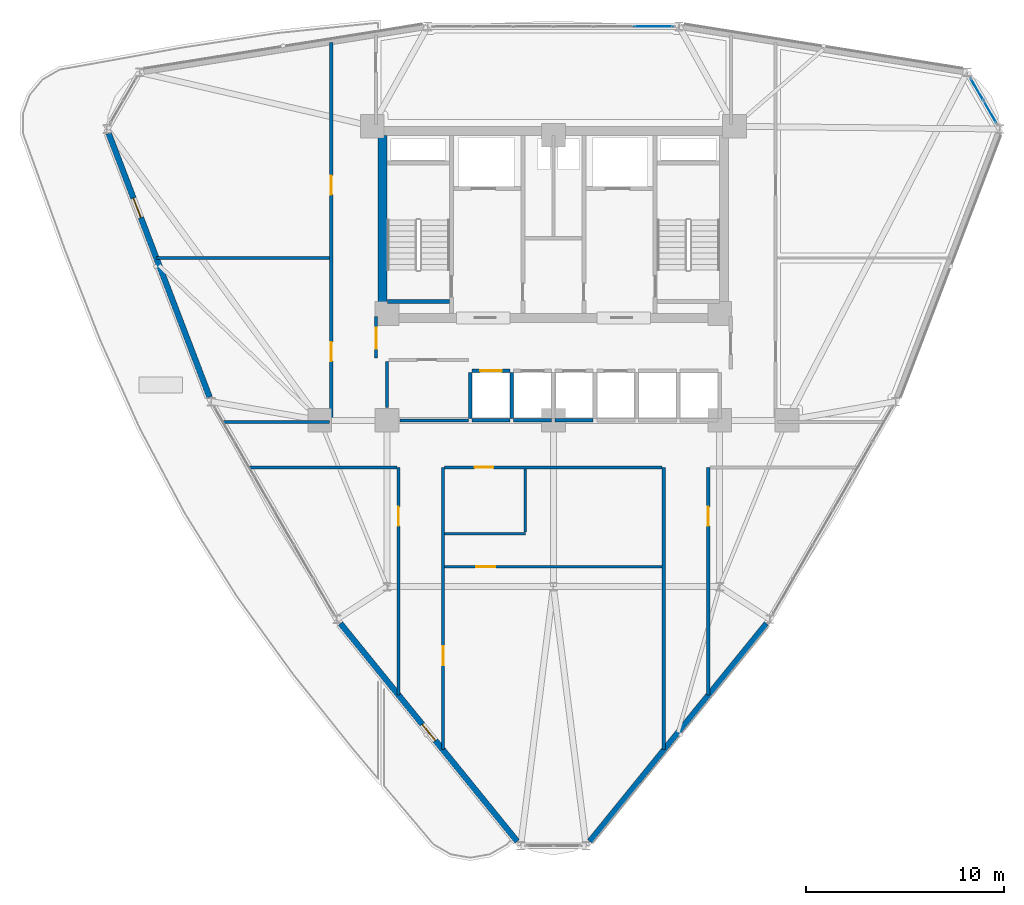
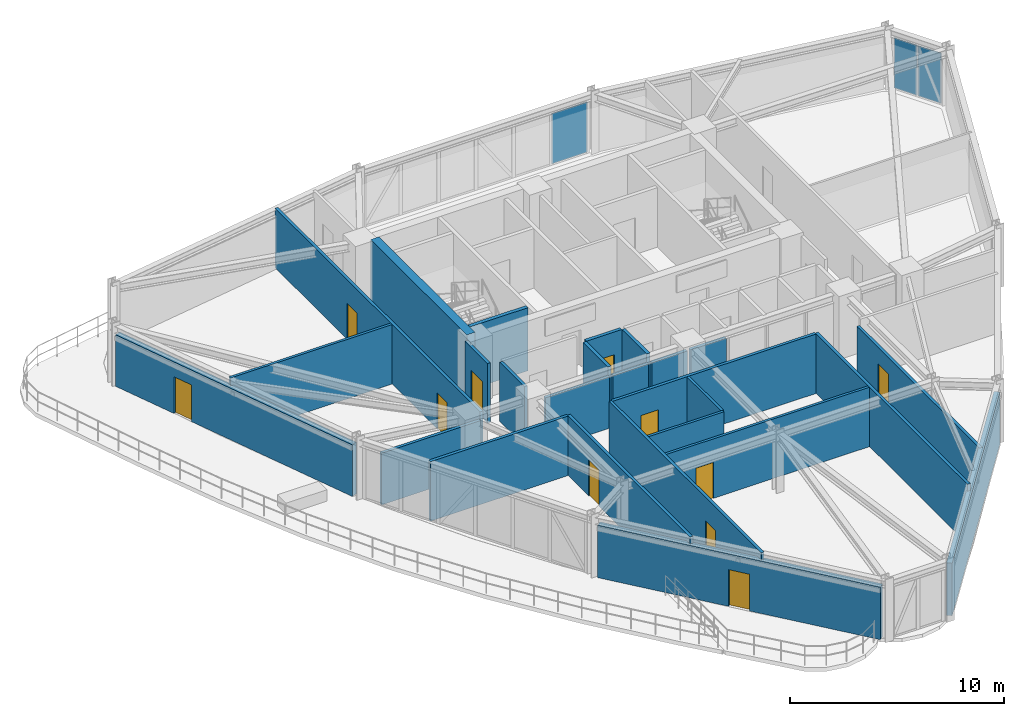
# One storey, part 13 of 18: 26 walls, 11 doors, 3 plates, 11 openings, 2 elements without a shape of their own.
"""IFC4 building model written with IfcOpenShell, lengths in metres."""

from ifc_helpers import new_model, si_unit, derived_unit, direction, frame, frame_2d, origin, origin_2d, place, context, subcontext, project, spatial, rectangle, extrude, source, transform, mapped, material, layer, layer_set, type_object, element, fill, aggregate, save


model = new_model("IFC4")

# Units and contexts
model_context = context("Model", 3, precision=1e-05, world=origin(), true_north=direction((0.0, 1.0)))
body_context = subcontext(model_context, "Body", "Model", "MODEL_VIEW")
ifc_project = project(units=[si_unit("LENGTHUNIT", "METRE"), si_unit("AREAUNIT", "SQUARE_METRE"), si_unit("VOLUMEUNIT", "CUBIC_METRE"), si_unit("PLANEANGLEUNIT", "RADIAN"), si_unit("MASSUNIT", "GRAM", prefix="KILO"), derived_unit("THERMALTRANSMITTANCEUNIT", [(si_unit("POWERUNIT", "WATT"), 1), (si_unit("LENGTHUNIT", "METRE"), -2), (si_unit("THERMODYNAMICTEMPERATUREUNIT", "KELVIN"), -1)])], contexts=[model_context])

# Site, building, storey
site_placement = place(None, origin())
site = spatial("IfcSite", under=ifc_project, at=site_placement, CompositionType="ELEMENT")
building_placement = place(site_placement, origin())
building = spatial("IfcBuilding", under=site, at=building_placement, Name="Korsvarv Bourse and Concert Hall", CompositionType="ELEMENT")
storey_placement = place(building_placement, frame((0.0, 0.0, 168.60009765625)))
storey = spatial("IfcBuildingStorey", under=building, at=storey_placement, Name="L43", CompositionType="ELEMENT", Elevation=168.60009765625)

# Curtain wall, plates
ifc_material_1 = material(Name="Anodised aluminium and triple low-E glazing", Category="glass")
ifc_layer_1 = layer(ifc_material_1, 0.2099609375)
ifc_layer_set_1 = layer_set([ifc_layer_1], Name="Anodised aluminium and triple low-E glazing")
curtain_wall_type = type_object("IfcCurtainWallType", Name="CW-SYS-2", PredefinedType="NOTDEFINED", material=ifc_layer_set_1)
curtain_wall_1_placement = place(storey_placement, origin())
curtain_wall_1 = element("IfcCurtainWall", 1, at=curtain_wall_1_placement, inside=storey, type_object=curtain_wall_type, Name="L43 CW2 curtain wall CW-L43-F01", PredefinedType="NOTDEFINED")
ifc_material_2 = material(Name="Insulated spandrel glass", Category="glass")
ifc_layer_2 = layer(ifc_material_2, 0.031982421875)
ifc_layer_set_2 = layer_set([ifc_layer_2], Name="Insulated spandrel glass")
plate_type_1 = type_object("IfcPlateType", Name="CWP-SPD1", PredefinedType="CURTAIN_PANEL", material=ifc_layer_set_2)
shared_shape_1 = source(origin(), body_context, "Body", "SweptSolid", [
    extrude(rectangle(XDim=1.23779296875, YDim=0.031982421875, at=origin_2d()), origin(), (0.0, 0.0, 1.0), 2.8701171875),
])
plate_1_placement = place(storey_placement, frame((58.054931640625, 47.978515625, 0.06494140625), z_axis=(0.0, 0.0, 1.0), x_axis=(-0.500031897907, 0.866006986736, 0.0)))
plate_1 = element("IfcPlate", 2, at=plate_1_placement, type_object=plate_type_1, Name="CW2 spandrel shadow-box panel 1.1", PredefinedType="CURTAIN_PANEL", context=body_context, shape_type="MappedRepresentation", body=[
    mapped(shared_shape_1, transform((0.0, 0.0, 0.0), scale=1.0)),
])
ifc_material_3 = material(Name="Tempered triple insulated low-E architectural glass", Category="glass")
ifc_layer_3 = layer(ifc_material_3, 0.0380859375)
ifc_layer_set_3 = layer_set([ifc_layer_3], Name="Tempered triple insulated low-E architectural glass")
plate_type_2 = type_object("IfcPlateType", Name="CWP-VIS2", PredefinedType="CURTAIN_PANEL", material=ifc_layer_set_3)
shared_shape_2 = source(origin(), body_context, "Body", "SweptSolid", [
    extrude(rectangle(XDim=1.23779296875, YDim=0.0380859375, at=origin_2d()), origin(), (0.0, 0.0, 1.0), 2.8701171875),
])
plate_2_placement = place(storey_placement, frame((57.401123046875, 49.11083984375, 0.06494140625), z_axis=(0.0, 0.0, 1.0), x_axis=(-0.500031897907, 0.866006986736, 0.0)))
plate_2 = element("IfcPlate", 3, at=plate_2_placement, type_object=plate_type_2, Name="CW2 faceted panel 2.1", PredefinedType="CURTAIN_PANEL", context=body_context, shape_type="MappedRepresentation", body=[
    mapped(shared_shape_2, transform((0.0, 0.0, 0.0), scale=1.0)),
])
aggregate(curtain_wall_1, [plate_1, plate_2])

# Curtain wall, plate
curtain_wall_2_placement = place(storey_placement, origin())
curtain_wall_2 = element("IfcCurtainWall", 4, at=curtain_wall_2_placement, inside=storey, type_object=curtain_wall_type, Name="L43 CW2 curtain wall CW-L43-F03", PredefinedType="NOTDEFINED")
shared_shape_3 = source(origin(), body_context, "Body", "SweptSolid", [
    extrude(rectangle(XDim=1.925048828125, YDim=0.0380859375, at=origin_2d()), origin(), (0.0, 0.0, 1.0), 2.8701171875),
])
plate_3_placement = place(storey_placement, frame((41.0576171875, 52.2958984375, 0.06494140625), z_axis=(0.0, 0.0, 1.0), x_axis=(-1.0, 0.0, 0.0)))
plate_3 = element("IfcPlate", 5, at=plate_3_placement, type_object=plate_type_2, Name="CW2 faceted panel 1.1", PredefinedType="CURTAIN_PANEL", context=body_context, shape_type="MappedRepresentation", body=[
    mapped(shared_shape_3, transform((0.0, 0.0, 0.0), scale=1.0)),
])
aggregate(curtain_wall_2, [plate_3])

# Walls
ifc_material_4 = material(Name="Concrete C50/60", Category="concrete")
ifc_layer_4 = layer(ifc_material_4, 0.3798828125)
ifc_layer_set_4 = layer_set([ifc_layer_4], Name="Concrete C50/60")
wall_type_1 = type_object("IfcWallType", Name="WL-CORE-380", PredefinedType="SHEAR", material=ifc_layer_set_4)
wall_1_placement = place(storey_placement, frame((27.610107421875, 38.39990234375, 0.0), z_axis=(0.0, 0.0, 1.0), x_axis=(1.0, 0.0, 0.0)))
element("IfcWall", 6, at=wall_1_placement, inside=storey, type_object=wall_type_1, Name="L43 stair shaft structural wall W-L43-ST1-S", PredefinedType="SHEAR", context=body_context, shape_type="SweptSolid", body=[
    extrude(rectangle(XDim=3.139892578125, YDim=0.199951171875, at=frame_2d((1.56982421875, 0.0))), origin(), (0.0, 0.0, 1.0), 3.599853515625),
])
ifc_material_5 = material(Name="Concrete C55/67", Category="concrete")
ifc_layer_5 = layer(ifc_material_5, 0.449951171875)
ifc_layer_set_5 = layer_set([ifc_layer_5], Name="Concrete C55/67")
wall_type_2 = type_object("IfcWallType", Name="WL-CORE-450", PredefinedType="SHEAR", material=ifc_layer_set_5)
wall_2_placement = place(storey_placement, frame((27.375, 37.800048828125, 0.0), z_axis=(0.0, 0.0, 1.0), x_axis=(0.0, 1.0, 0.0)))
element("IfcWall", 7, at=wall_2_placement, inside=storey, type_object=wall_type_2, Name="L43 West Core Shear Wall", PredefinedType="SHEAR", context=body_context, shape_type="SweptSolid", body=[
    extrude(rectangle(XDim=9.0, YDim=0.449951171875, at=frame_2d((4.5, 0.0))), origin(), (0.0, 0.0, 1.0), 3.599853515625),
])

# Wall, opening, door
ifc_material_6 = material(Name="Precast concrete C45/55 with terracotta rainscreen", Category="concrete")
ifc_layer_6 = layer(ifc_material_6, 0.300048828125)
ifc_layer_set_6 = layer_set([ifc_layer_6], Name="Precast concrete C45/55 with terracotta rainscreen")
wall_type_3 = type_object("IfcWallType", Name="WL-EXT-TC1", PredefinedType="SOLIDWALL", material=ifc_layer_set_6)
wall_3_placement = place(storey_placement, frame((13.53125, 46.891845703125, 0.0), z_axis=(0.0, 0.0, 1.0), x_axis=(0.357419860287, -0.933943811732, 0.0)))
wall_3 = element("IfcWall", 8, at=wall_3_placement, inside=storey, type_object=wall_type_3, Name="L43 terracotta exterior wall EW-L43-B06", PredefinedType="SOLIDWALL", context=body_context, shape_type="SweptSolid", body=[
    extrude(rectangle(XDim=14.263671875, YDim=0.300048828125, at=frame_2d((7.1318359375, 0.0))), origin(), (0.0, 0.0, 1.0), 2.949951171875),
])
opening_1_placement = place(wall_3_placement, frame((3.50341796875, 0.0, 0.0)))
opening_1 = element("IfcOpeningElement", 9, at=opening_1_placement, cuts=wall_3, Name="Opening ED-02", PredefinedType="OPENING", context=body_context, shape_type="SweptSolid", body=[
    extrude(rectangle(XDim=1.050048828125, YDim=2.10009765625, at=frame_2d((0.52490234375, 1.050048828125))), frame((0.0, 0.16015625, 0.0), z_axis=(0.0, -1.0, 0.0), x_axis=(1.0, 0.0, 0.0)), (0.0, 0.0, 1.0), 0.320068359375),
])
ifc_material_7 = material(Name="Thermally broken anodised aluminium and laminated safety glass", Category="aluminium")
door_type_1 = type_object("IfcDoorType", Name="DR-EXT-TERR", OperationType="NOTDEFINED", PredefinedType="DOOR", material=ifc_material_7)
door_1_placement = place(opening_1_placement, frame((1.050048828125, 0.0, 0.0), z_axis=(0.0, 0.0, 1.0), x_axis=(-1.0, 0.0, 0.0)))
door_1 = element("IfcDoor", 10, at=door_1_placement, inside=storey, type_object=door_type_1, Name="L43 Sky Garden Terrace Access Door", OperationType="SINGLE_SWING_RIGHT", OverallHeight=2.10009765625, OverallWidth=1.050048828125, PredefinedType="DOOR", context=body_context, shape_type="SweptSolid", body=[
    extrude(rectangle(XDim=1.050048828125, YDim=2.10009765625, at=frame_2d((0.52490234375, 1.050048828125))), frame((0.0, 0.02490234375, 0.0), z_axis=(0.0, -1.0, 0.0), x_axis=(1.0, 0.0, 0.0)), (0.0, 0.0, 1.0), 0.050048828125),
])
fill(opening_1, door_1)

wall_4_placement = place(storey_placement, frame((25.240966796875, 22.1337890625, 0.0), z_axis=(0.0, 0.0, 1.0), x_axis=(0.630110463711, -0.776505507722, 0.0)))
wall_4 = element("IfcWall", 11, at=wall_4_placement, inside=storey, type_object=wall_type_3, Name="L43 terracotta exterior wall EW-L43-B08", PredefinedType="SOLIDWALL", context=body_context, shape_type="SweptSolid", body=[
    extrude(rectangle(XDim=14.1669921875, YDim=0.300048828125, at=frame_2d((7.08349609375, 0.0))), origin(), (0.0, 0.0, 1.0), 3.0),
])
opening_2_placement = place(wall_4_placement, frame((6.55859375, 0.0, 0.0)))
opening_2 = element("IfcOpeningElement", 12, at=opening_2_placement, cuts=wall_4, Name="Opening ED-02", PredefinedType="OPENING", context=body_context, shape_type="SweptSolid", body=[
    extrude(rectangle(XDim=1.050048828125, YDim=2.10009765625, at=frame_2d((0.52490234375, 1.050048828125))), frame((0.0, 0.16015625, 0.0), z_axis=(0.0, -1.0, 0.0), x_axis=(1.0, 0.0, 0.0)), (0.0, 0.0, 1.0), 0.320068359375),
])
door_2_placement = place(opening_2_placement, frame((1.050048828125, 0.0, 0.0), z_axis=(0.0, 0.0, 1.0), x_axis=(-1.0, 0.0, 0.0)))
door_2 = element("IfcDoor", 13, at=door_2_placement, inside=storey, type_object=door_type_1, Name="L43 Sky Garden Terrace Access Door", OperationType="SINGLE_SWING_LEFT", OverallHeight=2.10009765625, OverallWidth=1.050048828125, PredefinedType="DOOR", context=body_context, shape_type="SweptSolid", body=[
    extrude(rectangle(XDim=1.050048828125, YDim=2.10009765625, at=frame_2d((0.52490234375, 1.050048828125))), frame((0.0, 0.02490234375, 0.0), z_axis=(0.0, -1.0, 0.0), x_axis=(1.0, 0.0, 0.0)), (0.0, 0.0, 1.0), 0.050048828125),
])
fill(opening_2, door_2)

# Walls
ifc_material_8 = material(Name="Precast concrete C45/55 with fluted terracotta pier", Category="concrete")
ifc_layer_7 = layer(ifc_material_8, 0.280029296875)
ifc_layer_set_7 = layer_set([ifc_layer_7], Name="Precast concrete C45/55 with fluted terracotta pier")
wall_type_4 = type_object("IfcWallType", Name="WL-EXT-TC2", PredefinedType="SOLIDWALL", material=ifc_layer_set_7)
wall_5_placement = place(storey_placement, frame((37.832275390625, 11.133056640625, 0.0), z_axis=(0.0, 0.0, 1.0), x_axis=(0.630110463711, 0.776505507722, 0.0)))
element("IfcWall", 14, at=wall_5_placement, inside=storey, type_object=wall_type_4, Name="L43 terracotta exterior wall EW-L43-B10", PredefinedType="SOLIDWALL", context=body_context, shape_type="SweptSolid", body=[
    extrude(rectangle(XDim=14.1669921875, YDim=0.280029296875, at=frame_2d((7.08349609375, 0.0))), origin(), (0.0, 0.0, 1.0), 3.0),
])
ifc_material_9 = material(Name="Double-stud fire-rated acoustic partition", Category="gypsum")
ifc_layer_8 = layer(ifc_material_9, 0.159912109375)
ifc_layer_set_8 = layer_set([ifc_layer_8], Name="Double-stud fire-rated acoustic partition")
wall_type_5 = type_object("IfcWallType", Name="WL-INT-EI60", PredefinedType="PARTITIONING", material=ifc_layer_set_8)
wall_6_placement = place(storey_placement, frame((28.25, 32.39990234375, 0.0), z_axis=(0.0, 0.0, 1.0), x_axis=(1.0, 0.0, 0.0)))
element("IfcWall", 15, at=wall_6_placement, inside=storey, type_object=wall_type_5, Name="L43 interior partition wall W-L43-FRD-S", PredefinedType="PARTITIONING", context=body_context, shape_type="SweptSolid", body=[
    extrude(rectangle(XDim=3.449951171875, YDim=0.159912109375, at=frame_2d((1.72509765625, 0.0))), origin(), (0.0, 0.0, 1.0), 2.949951171875),
])
wall_7_placement = place(storey_placement, frame((27.60009765625, 33.050048828125, 0.0), z_axis=(0.0, 0.0, 1.0), x_axis=(0.0, 1.0, 0.0)))
element("IfcWall", 16, at=wall_7_placement, inside=storey, type_object=wall_type_5, Name="L43 interior partition wall W-L43-FRD-W", PredefinedType="PARTITIONING", context=body_context, shape_type="SweptSolid", body=[
    extrude(rectangle(XDim=2.31005859375, YDim=0.159912109375, at=frame_2d((1.155029296875, 0.0))), origin(), (0.0, 0.0, 1.0), 3.39990234375),
])

# Wall, opening, door
wall_8_placement = place(storey_placement, frame((27.0400390625, 35.5400390625, 0.0), z_axis=(0.0, 0.0, 1.0), x_axis=(0.0, 1.0, 0.0)))
wall_8 = element("IfcWall", 17, at=wall_8_placement, inside=storey, type_object=wall_type_5, Name="L43 interior partition wall W-L43-LOB-WL", PredefinedType="PARTITIONING", context=body_context, shape_type="SweptSolid", body=[
    extrude(rectangle(XDim=2.10986328125, YDim=0.159912109375, at=frame_2d((1.054931640625, 0.0))), origin(), (0.0, 0.0, 1.0), 3.39990234375),
])
opening_3_placement = place(wall_8_placement, frame((0.47998046875, 0.0, 0.0)))
opening_3 = element("IfcOpeningElement", 18, at=opening_3_placement, cuts=wall_8, Name="Opening D-01", PredefinedType="OPENING", context=body_context, shape_type="SweptSolid", body=[
    extrude(rectangle(XDim=1.050048828125, YDim=2.10009765625, at=frame_2d((0.52490234375, 1.050048828125))), frame((0.0, 0.08984375, 0.0), z_axis=(0.0, -1.0, 0.0), x_axis=(1.0, 0.0, 0.0)), (0.0, 0.0, 1.0), 0.179931640625),
])
ifc_material_10 = material(Name="Steel S355 fire door", Category="steel")
door_type_2 = type_object("IfcDoorType", Name="DR-FD60", OperationType="NOTDEFINED", PredefinedType="DOOR", material=ifc_material_10)
door_3_placement = place(opening_3_placement, frame((1.050048828125, 0.0, 0.0), z_axis=(0.0, 0.0, 1.0), x_axis=(-1.0, 0.0, 0.0)))
door_3 = element("IfcDoor", 19, at=door_3_placement, inside=storey, type_object=door_type_2, Name="L43 interior door DR-L43-LOBW", OperationType="SINGLE_SWING_LEFT", OverallHeight=2.10009765625, OverallWidth=1.050048828125, PredefinedType="DOOR", context=body_context, shape_type="SweptSolid", body=[
    extrude(rectangle(XDim=1.050048828125, YDim=2.10009765625, at=frame_2d((0.52490234375, 1.050048828125))), frame((0.0, 0.02490234375, 0.0), z_axis=(0.0, -1.0, 0.0), x_axis=(1.0, 0.0, 0.0)), (0.0, 0.0, 1.0), 0.050048828125),
])
fill(opening_3, door_3)

# Wall, openings, doors
wall_9_placement = place(storey_placement, frame((24.77490234375, 32.31005859375, 0.0), z_axis=(0.0, 0.0, 1.0), x_axis=(0.0, 1.0, 0.0)))
wall_9 = element("IfcWall", 20, at=wall_9_placement, inside=storey, type_object=wall_type_5, Name="L43 interior partition wall W-L43-TCOR-02", PredefinedType="PARTITIONING", context=body_context, shape_type="SweptSolid", body=[
    extrude(rectangle(XDim=19.187744140625, YDim=0.159912109375, at=frame_2d((9.59375, 0.0))), origin(), (0.0, 0.0, 1.0), 3.39990234375),
])
opening_4_placement = place(wall_9_placement, frame((3.086669921875, 0.0, 0.0)))
opening_4 = element("IfcOpeningElement", 21, at=opening_4_placement, cuts=wall_9, Name="Opening D-02", PredefinedType="OPENING", context=body_context, shape_type="SweptSolid", body=[
    extrude(rectangle(XDim=0.949951171875, YDim=2.050048828125, at=frame_2d((0.47509765625, 1.02490234375))), frame((0.0, 0.08984375, 0.0), z_axis=(0.0, -1.0, 0.0), x_axis=(1.0, 0.0, 0.0)), (0.0, 0.0, 1.0), 0.179931640625),
])
opening_5_placement = place(wall_9_placement, frame((11.49658203125, 0.0, 0.0)))
opening_5 = element("IfcOpeningElement", 22, at=opening_5_placement, cuts=wall_9, Name="Opening D-02", PredefinedType="OPENING", context=body_context, shape_type="SweptSolid", body=[
    extrude(rectangle(XDim=0.949951171875, YDim=2.050048828125, at=frame_2d((0.47509765625, 1.02490234375))), frame((0.0, 0.08984375, 0.0), z_axis=(0.0, -1.0, 0.0), x_axis=(1.0, 0.0, 0.0)), (0.0, 0.0, 1.0), 0.179931640625),
])
ifc_material_11 = material(Name="Timber and steel acoustic fire door", Category="wood")
door_type_3 = type_object("IfcDoorType", Name="DR-FD30", OperationType="NOTDEFINED", PredefinedType="DOOR", material=ifc_material_11)
door_4_placement = place(opening_4_placement, origin())
door_4 = element("IfcDoor", 23, at=door_4_placement, inside=storey, type_object=door_type_3, Name="L43 interior door DR-L43-TCOR-MH58", OperationType="SINGLE_SWING_LEFT", OverallHeight=2.050048828125, OverallWidth=0.949951171875, PredefinedType="DOOR", context=body_context, shape_type="SweptSolid", body=[
    extrude(rectangle(XDim=0.949951171875, YDim=2.050048828125, at=frame_2d((0.47509765625, 1.02490234375))), frame((0.0, 0.02490234375, 0.0), z_axis=(0.0, -1.0, 0.0), x_axis=(1.0, 0.0, 0.0)), (0.0, 0.0, 1.0), 0.050048828125),
])
fill(opening_4, door_4)
door_5_placement = place(opening_5_placement, origin())
door_5 = element("IfcDoor", 24, at=door_5_placement, inside=storey, type_object=door_type_3, Name="L43 interior door DR-L43-TCOR-RM99", OperationType="SINGLE_SWING_RIGHT", OverallHeight=2.050048828125, OverallWidth=0.949951171875, PredefinedType="DOOR", context=body_context, shape_type="SweptSolid", body=[
    extrude(rectangle(XDim=0.949951171875, YDim=2.050048828125, at=frame_2d((0.47509765625, 1.02490234375))), frame((0.0, 0.02490234375, 0.0), z_axis=(0.0, -1.0, 0.0), x_axis=(1.0, 0.0, 0.0)), (0.0, 0.0, 1.0), 0.050048828125),
])
fill(opening_5, door_5)

# Wall, opening, door
wall_10_placement = place(storey_placement, frame((30.425048828125, 15.765380859375, 0.0), z_axis=(0.0, 0.0, 1.0), x_axis=(0.0, 1.0, 0.0)))
wall_10 = element("IfcWall", 25, at=wall_10_placement, inside=storey, type_object=wall_type_5, Name="L43 interior partition wall W-L43-TCOR-03", PredefinedType="PARTITIONING", context=body_context, shape_type="SweptSolid", body=[
    extrude(rectangle(XDim=14.2646484375, YDim=0.159912109375, at=frame_2d((7.13232421875, 0.0))), origin(), (0.0, 0.0, 1.0), 3.39990234375),
])
opening_6_placement = place(wall_10_placement, frame((4.2705078125, 0.0, 0.0)))
opening_6 = element("IfcOpeningElement", 26, at=opening_6_placement, cuts=wall_10, Name="Opening D-02", PredefinedType="OPENING", context=body_context, shape_type="SweptSolid", body=[
    extrude(rectangle(XDim=0.949951171875, YDim=2.050048828125, at=frame_2d((0.47509765625, 1.02490234375))), frame((0.0, 0.08984375, 0.0), z_axis=(0.0, -1.0, 0.0), x_axis=(1.0, 0.0, 0.0)), (0.0, 0.0, 1.0), 0.179931640625),
])
door_6_placement = place(opening_6_placement, origin())
door_6 = element("IfcDoor", 27, at=door_6_placement, inside=storey, type_object=door_type_3, Name="L43 interior door DR-L43-TCOR-MH25", OperationType="SINGLE_SWING_LEFT", OverallHeight=2.050048828125, OverallWidth=0.949951171875, PredefinedType="DOOR", context=body_context, shape_type="SweptSolid", body=[
    extrude(rectangle(XDim=0.949951171875, YDim=2.050048828125, at=frame_2d((0.47509765625, 1.02490234375))), frame((0.0, 0.02490234375, 0.0), z_axis=(0.0, -1.0, 0.0), x_axis=(1.0, 0.0, 0.0)), (0.0, 0.0, 1.0), 0.050048828125),
])
fill(opening_6, door_6)

# Wall
wall_11_placement = place(storey_placement, frame((41.574951171875, 15.765380859375, 0.0), z_axis=(0.0, 0.0, 1.0), x_axis=(0.0, 1.0, 0.0)))
element("IfcWall", 28, at=wall_11_placement, inside=storey, type_object=wall_type_5, Name="L43 interior partition wall W-L43-TCOR-04", PredefinedType="PARTITIONING", context=body_context, shape_type="SweptSolid", body=[
    extrude(rectangle(XDim=14.2646484375, YDim=0.159912109375, at=frame_2d((7.13232421875, 0.0))), origin(), (0.0, 0.0, 1.0), 3.39990234375),
])

# Wall, opening, door
wall_12_placement = place(storey_placement, frame((28.175048828125, 18.5380859375, 0.0), z_axis=(0.0, 0.0, 1.0), x_axis=(0.0, 1.0, 0.0)))
wall_12 = element("IfcWall", 29, at=wall_12_placement, inside=storey, type_object=wall_type_5, Name="L43 interior partition wall W-L43-TCOR-05", PredefinedType="PARTITIONING", context=body_context, shape_type="SweptSolid", body=[
    extrude(rectangle(XDim=11.491943359375, YDim=0.159912109375, at=frame_2d((5.74609375, 0.0))), origin(), (0.0, 0.0, 1.0), 3.39990234375),
])
opening_7_placement = place(wall_12_placement, frame((8.53662109375, 0.0, 0.0)))
opening_7 = element("IfcOpeningElement", 30, at=opening_7_placement, cuts=wall_12, Name="Opening D-02", PredefinedType="OPENING", context=body_context, shape_type="SweptSolid", body=[
    extrude(rectangle(XDim=0.949951171875, YDim=2.050048828125, at=frame_2d((0.47509765625, 1.02490234375))), frame((0.0, 0.08984375, 0.0), z_axis=(0.0, -1.0, 0.0), x_axis=(1.0, 0.0, 0.0)), (0.0, 0.0, 1.0), 0.179931640625),
])
door_7_placement = place(opening_7_placement, origin())
door_7 = element("IfcDoor", 31, at=door_7_placement, inside=storey, type_object=door_type_3, Name="L43 interior door DR-L43-TCOR-MH37", OperationType="SINGLE_SWING_RIGHT", OverallHeight=2.050048828125, OverallWidth=0.949951171875, PredefinedType="DOOR", context=body_context, shape_type="SweptSolid", body=[
    extrude(rectangle(XDim=0.949951171875, YDim=2.050048828125, at=frame_2d((0.47509765625, 1.02490234375))), frame((0.0, 0.02490234375, 0.0), z_axis=(0.0, -1.0, 0.0), x_axis=(1.0, 0.0, 0.0)), (0.0, 0.0, 1.0), 0.050048828125),
])
fill(opening_7, door_7)

wall_13_placement = place(storey_placement, frame((43.824951171875, 18.5380859375, 0.0), z_axis=(0.0, 0.0, 1.0), x_axis=(0.0, 1.0, 0.0)))
wall_13 = element("IfcWall", 32, at=wall_13_placement, inside=storey, type_object=wall_type_5, Name="L43 interior partition wall W-L43-TCOR-06", PredefinedType="PARTITIONING", context=body_context, shape_type="SweptSolid", body=[
    extrude(rectangle(XDim=11.491943359375, YDim=0.159912109375, at=frame_2d((5.74609375, 0.0))), origin(), (0.0, 0.0, 1.0), 3.0),
])
opening_8_placement = place(wall_13_placement, frame((8.53662109375, 0.0, 0.0)))
opening_8 = element("IfcOpeningElement", 33, at=opening_8_placement, cuts=wall_13, Name="Opening D-02", PredefinedType="OPENING", context=body_context, shape_type="SweptSolid", body=[
    extrude(rectangle(XDim=0.949951171875, YDim=2.050048828125, at=frame_2d((0.47509765625, 1.02490234375))), frame((0.0, 0.08984375, 0.0), z_axis=(0.0, -1.0, 0.0), x_axis=(1.0, 0.0, 0.0)), (0.0, 0.0, 1.0), 0.179931640625),
])
door_8_placement = place(opening_8_placement, origin())
door_8 = element("IfcDoor", 34, at=door_8_placement, inside=storey, type_object=door_type_3, Name="L43 interior door DR-L43-TCOR-MH43", OperationType="SINGLE_SWING_LEFT", OverallHeight=2.050048828125, OverallWidth=0.949951171875, PredefinedType="DOOR", context=body_context, shape_type="SweptSolid", body=[
    extrude(rectangle(XDim=0.949951171875, YDim=2.050048828125, at=frame_2d((0.47509765625, 1.02490234375))), frame((0.0, 0.02490234375, 0.0), z_axis=(0.0, -1.0, 0.0), x_axis=(1.0, 0.0, 0.0)), (0.0, 0.0, 1.0), 0.050048828125),
])
fill(opening_8, door_8)

wall_14_placement = place(storey_placement, frame((30.507080078125, 30.02490234375, 0.0), z_axis=(0.0, 0.0, 1.0), x_axis=(1.0, 0.0, 0.0)))
wall_14 = element("IfcWall", 35, at=wall_14_placement, inside=storey, type_object=wall_type_5, Name="L43 interior partition wall W-L43-TCOR-07", PredefinedType="PARTITIONING", context=body_context, shape_type="SweptSolid", body=[
    extrude(rectangle(XDim=10.98583984375, YDim=0.159912109375, at=frame_2d((5.492919921875, 0.0))), origin(), (0.0, 0.0, 1.0), 3.39990234375),
])
opening_9_placement = place(wall_14_placement, frame((1.51220703125, 0.0, 0.0)))
opening_9 = element("IfcOpeningElement", 36, at=opening_9_placement, cuts=wall_14, Name="Opening D-02", PredefinedType="OPENING", context=body_context, shape_type="SweptSolid", body=[
    extrude(rectangle(XDim=0.949951171875, YDim=2.050048828125, at=frame_2d((0.47509765625, 1.02490234375))), frame((0.0, 0.08984375, 0.0), z_axis=(0.0, -1.0, 0.0), x_axis=(1.0, 0.0, 0.0)), (0.0, 0.0, 1.0), 0.179931640625),
])
door_9_placement = place(opening_9_placement, origin())
door_9 = element("IfcDoor", 37, at=door_9_placement, inside=storey, type_object=door_type_3, Name="L43 interior door DR-L43-TCOR-RWC", OperationType="SINGLE_SWING_RIGHT", OverallHeight=2.050048828125, OverallWidth=0.949951171875, PredefinedType="DOOR", context=body_context, shape_type="SweptSolid", body=[
    extrude(rectangle(XDim=0.949951171875, YDim=2.050048828125, at=frame_2d((0.47509765625, 1.02490234375))), frame((0.0, 0.02490234375, 0.0), z_axis=(0.0, -1.0, 0.0), x_axis=(1.0, 0.0, 0.0)), (0.0, 0.0, 1.0), 0.050048828125),
])
fill(opening_9, door_9)

# Walls
wall_15_placement = place(storey_placement, frame((20.65283203125, 30.02490234375, 0.0), z_axis=(0.0, 0.0, 1.0), x_axis=(1.0, 0.0, 0.0)))
element("IfcWall", 38, at=wall_15_placement, inside=storey, type_object=wall_type_5, Name="L43 interior partition wall W-L43-TCOR-08", PredefinedType="PARTITIONING", context=body_context, shape_type="SweptSolid", body=[
    extrude(rectangle(XDim=7.440185546875, YDim=0.159912109375, at=frame_2d((3.72021484375, 0.0))), origin(), (0.0, 0.0, 1.0), 3.39990234375),
])
wall_16_placement = place(storey_placement, frame((19.330810546875, 32.31494140625, 0.0), z_axis=(0.0, 0.0, 1.0), x_axis=(1.0, 0.0, 0.0)))
element("IfcWall", 39, at=wall_16_placement, inside=storey, type_object=wall_type_5, Name="L43 interior partition wall W-L43-TCOR-11", PredefinedType="PARTITIONING", context=body_context, shape_type="SweptSolid", body=[
    extrude(rectangle(XDim=5.3623046875, YDim=0.159912109375, at=frame_2d((2.68115234375, 0.0))), origin(), (0.0, 0.0, 1.0), 2.949951171875),
])

# Wall, opening, door
ifc_material_12 = material(Name="Gypsum-clad autoclaved concrete shaft wall C30/37", Category="concrete")
ifc_layer_9 = layer(ifc_material_12, 0.179931640625)
ifc_layer_set_9 = layer_set([ifc_layer_9], Name="Gypsum-clad autoclaved concrete shaft wall C30/37")
wall_type_6 = type_object("IfcWallType", Name="WL-INT-EI90", PredefinedType="PARTITIONING", material=ifc_layer_set_9)
wall_17_placement = place(storey_placement, frame((31.889892578125, 34.89990234375, 0.0), z_axis=(0.0, 0.0, 1.0), x_axis=(1.0, 0.0, 0.0)))
wall_17 = element("IfcWall", 40, at=wall_17_placement, inside=storey, type_object=wall_type_6, Name="L43 interior partition wall W-L43-SHFN-PM1", PredefinedType="PARTITIONING", context=body_context, shape_type="SweptSolid", body=[
    extrude(rectangle(XDim=1.920166015625, YDim=0.179931640625, at=frame_2d((0.9599609375, 0.0))), origin(), (0.0, 0.0, 1.0), 3.39990234375),
])
opening_10_placement = place(wall_17_placement, frame((0.409912109375, 0.0, 0.0)))
opening_10 = element("IfcOpeningElement", 41, at=opening_10_placement, cuts=wall_17, Name="Opening LD-2", PredefinedType="OPENING", context=body_context, shape_type="SweptSolid", body=[
    extrude(rectangle(XDim=1.10009765625, YDim=2.10009765625, at=frame_2d((0.550048828125, 1.050048828125))), frame((0.0, 0.10009765625, 0.0), z_axis=(0.0, -1.0, 0.0), x_axis=(1.0, 0.0, 0.0)), (0.0, 0.0, 1.0), 0.199951171875),
])
ifc_material_13 = material(Name="Brushed stainless Steel S355 lift landing door", Category="steel")
door_type_4 = type_object("IfcDoorType", Name="DR-LIFT-P", OperationType="DOUBLE_DOOR_SLIDING", PredefinedType="DOOR", material=ifc_material_13)
door_10_placement = place(opening_10_placement, origin())
door_10 = element("IfcDoor", 42, at=door_10_placement, inside=storey, type_object=door_type_4, Name="L43 lift sliding landing door LD-L43-PM1", OperationType="DOUBLE_DOOR_SLIDING", OverallHeight=2.10009765625, OverallWidth=1.10009765625, PredefinedType="DOOR", context=body_context, shape_type="SweptSolid", body=[
    extrude(rectangle(XDim=1.10009765625, YDim=2.10009765625, at=frame_2d((0.550048828125, 1.050048828125))), frame((0.0, 0.02490234375, 0.0), z_axis=(0.0, -1.0, 0.0), x_axis=(1.0, 0.0, 0.0)), (0.0, 0.0, 1.0), 0.050048828125),
])
fill(opening_10, door_10)

# Walls
wall_18_placement = place(storey_placement, frame((31.889892578125, 32.39990234375, 0.0), z_axis=(0.0, 0.0, 1.0), x_axis=(1.0, 0.0, 0.0)))
element("IfcWall", 43, at=wall_18_placement, inside=storey, type_object=wall_type_6, Name="L43 interior partition wall W-L43-SHFS-PM1", PredefinedType="PARTITIONING", context=body_context, shape_type="SweptSolid", body=[
    extrude(rectangle(XDim=1.920166015625, YDim=0.179931640625, at=frame_2d((0.9599609375, 0.0))), origin(), (0.0, 0.0, 1.0), 2.949951171875),
])
wall_19_placement = place(storey_placement, frame((31.800048828125, 32.489990234375, 0.0), z_axis=(0.0, 0.0, 1.0), x_axis=(0.0, 1.0, 0.0)))
element("IfcWall", 44, at=wall_19_placement, inside=storey, type_object=wall_type_6, Name="L43 interior partition wall W-L43-SHFW-PM1", PredefinedType="PARTITIONING", context=body_context, shape_type="SweptSolid", body=[
    extrude(rectangle(XDim=2.320068359375, YDim=0.179931640625, at=frame_2d((1.16015625, 0.0))), origin(), (0.0, 0.0, 1.0), 3.39990234375),
])
wall_20_placement = place(storey_placement, frame((33.989990234375, 32.39990234375, 0.0), z_axis=(0.0, 0.0, 1.0), x_axis=(1.0, 0.0, 0.0)))
element("IfcWall", 45, at=wall_20_placement, inside=storey, type_object=wall_type_6, Name="L43 interior partition wall W-L43-SHFS-PM2", PredefinedType="PARTITIONING", context=body_context, shape_type="SweptSolid", body=[
    extrude(rectangle(XDim=1.919921875, YDim=0.179931640625, at=frame_2d((0.9599609375, 0.0))), origin(), (0.0, 0.0, 1.0), 2.949951171875),
])
wall_21_placement = place(storey_placement, frame((33.89990234375, 32.489990234375, 0.0), z_axis=(0.0, 0.0, 1.0), x_axis=(0.0, 1.0, 0.0)))
element("IfcWall", 46, at=wall_21_placement, inside=storey, type_object=wall_type_6, Name="L43 interior partition wall W-L43-SHFW-PM2", PredefinedType="PARTITIONING", context=body_context, shape_type="SweptSolid", body=[
    extrude(rectangle(XDim=2.320068359375, YDim=0.179931640625, at=frame_2d((1.16015625, 0.0))), origin(), (0.0, 0.0, 1.0), 3.39990234375),
])
wall_22_placement = place(storey_placement, frame((36.090087890625, 32.39990234375, 0.0), z_axis=(0.0, 0.0, 1.0), x_axis=(1.0, 0.0, 0.0)))
element("IfcWall", 47, at=wall_22_placement, inside=storey, type_object=wall_type_6, Name="L43 interior partition wall W-L43-SHFS-PH1", PredefinedType="PARTITIONING", context=body_context, shape_type="SweptSolid", body=[
    extrude(rectangle(XDim=1.919921875, YDim=0.179931640625, at=frame_2d((0.9599609375, 0.0))), origin(), (0.0, 0.0, 1.0), 2.949951171875),
])

# Wall, opening, door
ifc_material_14 = material(Name="Insulated steel-stud office acoustic partition", Category="gypsum")
ifc_layer_10 = layer(ifc_material_14, 0.139892578125)
ifc_layer_set_10 = layer_set([ifc_layer_10], Name="Insulated steel-stud office acoustic partition")
wall_type_7 = type_object("IfcWallType", Name="WL-INT-P1", PredefinedType="PARTITIONING", material=ifc_layer_set_10)
wall_23_placement = place(storey_placement, frame((30.507080078125, 25.0048828125, 0.0), z_axis=(0.0, 0.0, 1.0), x_axis=(1.0, 0.0, 0.0)))
wall_23 = element("IfcWall", 48, at=wall_23_placement, inside=storey, type_object=wall_type_7, Name="L43 interior partition wall W-L43-TCOR-14", PredefinedType="PARTITIONING", context=body_context, shape_type="SweptSolid", body=[
    extrude(rectangle(XDim=10.98583984375, YDim=0.139892578125, at=frame_2d((5.492919921875, 0.0))), origin(), (0.0, 0.0, 1.0), 3.39990234375),
])
opening_11_placement = place(wall_23_placement, frame((1.601318359375, 0.0, 0.0)))
opening_11 = element("IfcOpeningElement", 49, at=opening_11_placement, cuts=wall_23, Name="Opening D-03", PredefinedType="OPENING", context=body_context, shape_type="SweptSolid", body=[
    extrude(rectangle(XDim=0.949951171875, YDim=2.050048828125, at=frame_2d((0.47509765625, 1.02490234375))), frame((0.0, 0.080078125, 0.0), z_axis=(0.0, -1.0, 0.0), x_axis=(1.0, 0.0, 0.0)), (0.0, 0.0, 1.0), 0.159912109375),
])
ifc_material_15 = material(Name="Nordic oak acoustic office door", Category="wood")
door_type_5 = type_object("IfcDoorType", Name="DR-INT-1", OperationType="NOTDEFINED", PredefinedType="DOOR", material=ifc_material_15)
door_11_placement = place(opening_11_placement, origin())
door_11 = element("IfcDoor", 50, at=door_11_placement, inside=storey, type_object=door_type_5, Name="L43 interior door DR-L43-TCOR-MH16", OperationType="SINGLE_SWING_RIGHT", OverallHeight=2.050048828125, OverallWidth=0.949951171875, PredefinedType="DOOR", context=body_context, shape_type="SweptSolid", body=[
    extrude(rectangle(XDim=0.949951171875, YDim=2.050048828125, at=frame_2d((0.47509765625, 1.02490234375))), frame((0.0, 0.02490234375, 0.0), z_axis=(0.0, -1.0, 0.0), x_axis=(1.0, 0.0, 0.0)), (0.0, 0.0, 1.0), 0.050048828125),
])
fill(opening_11, door_11)

# Walls
wall_24_placement = place(storey_placement, frame((15.957275390625, 40.60498046875, 0.0), z_axis=(0.0, 0.0, 1.0), x_axis=(1.0, 0.0, 0.0)))
element("IfcWall", 51, at=wall_24_placement, inside=storey, type_object=wall_type_7, Name="L43 interior partition wall W-L43-TCOR-16", PredefinedType="PARTITIONING", context=body_context, shape_type="SweptSolid", body=[
    extrude(rectangle(XDim=8.73583984375, YDim=0.139892578125, at=frame_2d((4.367919921875, 0.0))), origin(), (0.0, 0.0, 1.0), 3.39990234375),
])
wall_25_placement = place(storey_placement, frame((30.507080078125, 26.675048828125, 0.0), z_axis=(0.0, 0.0, 1.0), x_axis=(1.0, 0.0, 0.0)))
element("IfcWall", 52, at=wall_25_placement, inside=storey, type_object=wall_type_7, Name="L43 interior partition wall W-L43-TCOR-17", PredefinedType="PARTITIONING", context=body_context, shape_type="SweptSolid", body=[
    extrude(rectangle(XDim=4.072998046875, YDim=0.139892578125, at=frame_2d((2.03662109375, 0.0))), origin(), (0.0, 0.0, 1.0), 3.39990234375),
])
wall_26_placement = place(storey_placement, frame((34.574951171875, 26.7470703125, 0.0), z_axis=(0.0, 0.0, 1.0), x_axis=(0.0, 1.0, 0.0)))
element("IfcWall", 53, at=wall_26_placement, inside=storey, type_object=wall_type_7, Name="L43 interior partition wall W-L43-TCOR-18", PredefinedType="PARTITIONING", context=body_context, shape_type="SweptSolid", body=[
    extrude(rectangle(XDim=3.196044921875, YDim=0.139892578125, at=frame_2d((1.59814453125, 0.0))), origin(), (0.0, 0.0, 1.0), 3.39990234375),
])

save(model, "model.ifc")
